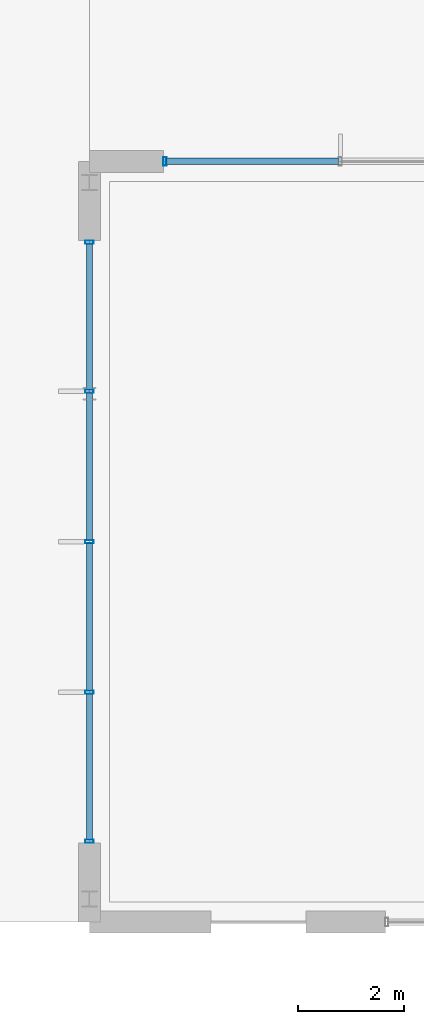
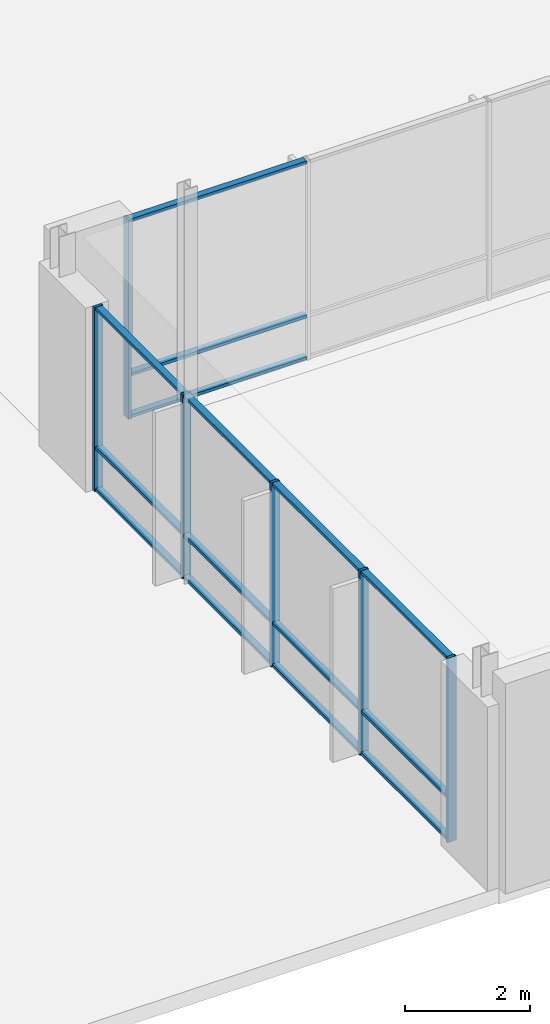
# One storey, part 66 of 233: 21 members, 2 elements without a shape of their own.
"""IFC4 building model written with IfcOpenShell, lengths in metres."""

from ifc_helpers import new_model, si_unit, direction, frame, origin, origin_2d, place, context, subcontext, project, spatial, hollow_rectangle, extrude, material, material_profile, profile_set, type_object, element, aggregate, save


model = new_model("IFC4")

# Units and contexts
model_context = context("Model", 3, precision=1e-05, world=origin(), true_north=direction((0.0, 1.0)))
body_context = subcontext(model_context, "Body", "Model", "MODEL_VIEW")
ifc_project = project(units=[si_unit("LENGTHUNIT", "METRE"), si_unit("AREAUNIT", "SQUARE_METRE"), si_unit("VOLUMEUNIT", "CUBIC_METRE"), si_unit("PLANEANGLEUNIT", "RADIAN"), si_unit("MASSUNIT", "GRAM", prefix="KILO")], contexts=[model_context])

# Site, building, storey
site_placement = place(None, origin())
site = spatial("IfcSite", under=ifc_project, at=site_placement, CompositionType="ELEMENT")
building_placement = place(site_placement, origin())
building = spatial("IfcBuilding", under=site, at=building_placement, Name="Zavelmont Quarter", CompositionType="ELEMENT")
storey_placement = place(building_placement, origin())
storey = spatial("IfcBuildingStorey", under=building, at=storey_placement, Name="L00", CompositionType="ELEMENT", Elevation=0.0)

# Curtain wall, member
ifc_material_1 = material(Name="Thermally broken aluminium and double low-E safety glazing", Category="aluminium")
curtain_wall_type_1 = type_object("IfcCurtainWallType", Name="CW-1340X390", PredefinedType="NOTDEFINED", material=ifc_material_1)
curtain_wall_1_placement = place(storey_placement, origin())
curtain_wall_1 = element("IfcCurtainWall", 1, at=curtain_wall_1_placement, inside=storey, type_object=curtain_wall_type_1, Name="L00 unitised curtain wall CW-1340X390", PredefinedType="NOTDEFINED")
ifc_material_2 = material(Name="Powder-coated aluminium EN AW-6063-T6", Category="aluminium")
ifc_material_profile_1 = material_profile(ifc_material_2, hollow_rectangle(XDim=0.06005859375, YDim=0.159912109375, WallThickness=0.00390625, at=origin_2d()), Name="CWM60X160")
ifc_profile_set_1 = profile_set([ifc_material_profile_1], Name="Powder-coated aluminium EN AW-6063-T6")
member_type_1 = type_object("IfcMemberType", Name="CWM01", PredefinedType="MULLION", material=ifc_profile_set_1)
member_1_placement = place(storey_placement, frame((93.429931640625, 14.39990234375, 0.0), z_axis=(0.0, 0.0, 1.0), x_axis=(1.0, 0.0, 0.0)))
member_1 = element("IfcMember", 2, at=member_1_placement, type_object=member_type_1, Name="CW-1340X390 mullion 1", PredefinedType="MULLION", context=body_context, shape_type="SweptSolid", body=[
    extrude(hollow_rectangle(XDim=0.06005859375, YDim=0.159912109375, WallThickness=0.00390625, at=origin_2d()), origin(), (0.0, 0.0, 1.0), 3.89990234375),
])

# Curtain wall, members
curtain_wall_type_2 = type_object("IfcCurtainWallType", Name="CW-1140X361", PredefinedType="NOTDEFINED", material=ifc_material_1)
curtain_wall_2_placement = place(storey_placement, origin())
curtain_wall_2 = element("IfcCurtainWall", 3, at=curtain_wall_2_placement, inside=storey, type_object=curtain_wall_type_2, Name="L00 unitised curtain wall CW-1140X361", PredefinedType="NOTDEFINED")
member_2_placement = place(storey_placement, frame((92.0, 1.530029296875, 0.0), z_axis=(0.0, 0.0, 1.0), x_axis=(0.0, 1.0, 0.0)))
member_2 = element("IfcMember", 4, at=member_2_placement, type_object=member_type_1, Name="CW-1140X361 mullion 1", PredefinedType="MULLION", context=body_context, shape_type="SweptSolid", body=[
    extrude(hollow_rectangle(XDim=0.06005859375, YDim=0.159912109375, WallThickness=0.00390625, at=origin_2d()), origin(), (0.0, 0.0, 1.0), 3.610107421875),
])
member_3_placement = place(storey_placement, frame((92.0, 4.35009765625, 0.0), z_axis=(0.0, 0.0, 1.0), x_axis=(0.0, 1.0, 0.0)))
member_3 = element("IfcMember", 5, at=member_3_placement, type_object=member_type_1, Name="CW-1140X361 mullion 2", PredefinedType="MULLION", context=body_context, shape_type="SweptSolid", body=[
    extrude(hollow_rectangle(XDim=0.06005859375, YDim=0.159912109375, WallThickness=0.00390625, at=origin_2d()), origin(), (0.0, 0.0, 1.0), 3.610107421875),
])
member_4_placement = place(storey_placement, frame((92.0, 7.199951171875, 0.0), z_axis=(0.0, 0.0, 1.0), x_axis=(0.0, 1.0, 0.0)))
member_4 = element("IfcMember", 6, at=member_4_placement, type_object=member_type_1, Name="CW-1140X361 mullion 3", PredefinedType="MULLION", context=body_context, shape_type="SweptSolid", body=[
    extrude(hollow_rectangle(XDim=0.06005859375, YDim=0.159912109375, WallThickness=0.00390625, at=origin_2d()), origin(), (0.0, 0.0, 1.0), 3.610107421875),
])
member_5_placement = place(storey_placement, frame((92.0, 10.050048828125, 0.0), z_axis=(0.0, 0.0, 1.0), x_axis=(0.0, 1.0, 0.0)))
member_5 = element("IfcMember", 7, at=member_5_placement, type_object=member_type_1, Name="CW-1140X361 mullion 4", PredefinedType="MULLION", context=body_context, shape_type="SweptSolid", body=[
    extrude(hollow_rectangle(XDim=0.06005859375, YDim=0.159912109375, WallThickness=0.00390625, at=origin_2d()), origin(), (0.0, 0.0, 1.0), 3.610107421875),
])
member_6_placement = place(storey_placement, frame((92.0, 12.8701171875, 0.0), z_axis=(0.0, 0.0, 1.0), x_axis=(0.0, 1.0, 0.0)))
member_6 = element("IfcMember", 8, at=member_6_placement, type_object=member_type_1, Name="CW-1140X361 mullion 5", PredefinedType="MULLION", context=body_context, shape_type="SweptSolid", body=[
    extrude(hollow_rectangle(XDim=0.06005859375, YDim=0.159912109375, WallThickness=0.00390625, at=origin_2d()), origin(), (0.0, 0.0, 1.0), 3.610107421875),
])

# Member
ifc_material_profile_2 = material_profile(ifc_material_2, hollow_rectangle(XDim=0.1201171875, YDim=0.06005859375, WallThickness=0.00390625, at=origin_2d()), Name="CWT60X120")
ifc_profile_set_2 = profile_set([ifc_material_profile_2], Name="Powder-coated aluminium EN AW-6063-T6")
member_type_2 = type_object("IfcMemberType", Name="CWT01", PredefinedType="NOTDEFINED", material=ifc_profile_set_2)
member_7_placement = place(storey_placement, frame((93.4599609375, 14.39990234375, 0.030029296875), z_axis=(1.0, 0.0, 0.0), x_axis=(0.0, 1.0, 0.0)))
member_7 = element("IfcMember", 9, at=member_7_placement, type_object=member_type_2, Name="CW-1340X390 transom 1.1", ObjectType="TRANSOM", PredefinedType="USERDEFINED", context=body_context, shape_type="SweptSolid", body=[
    extrude(hollow_rectangle(XDim=0.1201171875, YDim=0.06005859375, WallThickness=0.00390625, at=origin_2d()), origin(), (0.0, 0.0, 1.0), 3.260009765625),
])

member_8_placement = place(storey_placement, frame((93.4599609375, 14.39990234375, 0.85009765625), z_axis=(1.0, 0.0, 0.0), x_axis=(0.0, 1.0, 0.0)))
member_8 = element("IfcMember", 10, at=member_8_placement, type_object=member_type_2, Name="CW-1340X390 transom 1.2", ObjectType="TRANSOM", PredefinedType="USERDEFINED", context=body_context, shape_type="SweptSolid", body=[
    extrude(hollow_rectangle(XDim=0.1201171875, YDim=0.06005859375, WallThickness=0.00390625, at=origin_2d()), origin(), (0.0, 0.0, 1.0), 3.260009765625),
])

member_9_placement = place(storey_placement, frame((93.4599609375, 14.39990234375, 3.8701171875), z_axis=(1.0, 0.0, 0.0), x_axis=(0.0, 1.0, 0.0)))
member_9 = element("IfcMember", 11, at=member_9_placement, type_object=member_type_2, Name="CW-1340X390 transom 1.3", ObjectType="TRANSOM", PredefinedType="USERDEFINED", context=body_context, shape_type="SweptSolid", body=[
    extrude(hollow_rectangle(XDim=0.1201171875, YDim=0.06005859375, WallThickness=0.00390625, at=origin_2d()), origin(), (0.0, 0.0, 1.0), 3.260009765625),
])

aggregate(curtain_wall_1, [member_1, member_7, member_8, member_9])

member_10_placement = place(storey_placement, frame((92.0, 1.56005859375, 0.030029296875), z_axis=(0.0, 1.0, 0.0), x_axis=(-1.0, 0.0, 0.0)))
member_10 = element("IfcMember", 12, at=member_10_placement, type_object=member_type_2, Name="CW-1140X361 transom 1.1", ObjectType="TRANSOM", PredefinedType="USERDEFINED", context=body_context, shape_type="SweptSolid", body=[
    extrude(hollow_rectangle(XDim=0.1201171875, YDim=0.06005859375, WallThickness=0.00390625, at=origin_2d()), origin(), (0.0, 0.0, 1.0), 2.760009765625),
])

member_11_placement = place(storey_placement, frame((92.0, 1.56005859375, 0.85009765625), z_axis=(0.0, 1.0, 0.0), x_axis=(-1.0, 0.0, 0.0)))
member_11 = element("IfcMember", 13, at=member_11_placement, type_object=member_type_2, Name="CW-1140X361 transom 1.2", ObjectType="TRANSOM", PredefinedType="USERDEFINED", context=body_context, shape_type="SweptSolid", body=[
    extrude(hollow_rectangle(XDim=0.1201171875, YDim=0.06005859375, WallThickness=0.00390625, at=origin_2d()), origin(), (0.0, 0.0, 1.0), 2.760009765625),
])

member_12_placement = place(storey_placement, frame((92.0, 1.56005859375, 3.580078125), z_axis=(0.0, 1.0, 0.0), x_axis=(-1.0, 0.0, 0.0)))
member_12 = element("IfcMember", 14, at=member_12_placement, type_object=member_type_2, Name="CW-1140X361 transom 1.3", ObjectType="TRANSOM", PredefinedType="USERDEFINED", context=body_context, shape_type="SweptSolid", body=[
    extrude(hollow_rectangle(XDim=0.1201171875, YDim=0.06005859375, WallThickness=0.00390625, at=origin_2d()), origin(), (0.0, 0.0, 1.0), 2.760009765625),
])

member_13_placement = place(storey_placement, frame((92.0, 4.3798828125, 0.030029296875), z_axis=(0.0, 1.0, 0.0), x_axis=(-1.0, 0.0, 0.0)))
member_13 = element("IfcMember", 15, at=member_13_placement, type_object=member_type_2, Name="CW-1140X361 transom 2.1", ObjectType="TRANSOM", PredefinedType="USERDEFINED", context=body_context, shape_type="SweptSolid", body=[
    extrude(hollow_rectangle(XDim=0.1201171875, YDim=0.06005859375, WallThickness=0.00390625, at=origin_2d()), origin(), (0.0, 0.0, 1.0), 2.7900390625),
])

member_14_placement = place(storey_placement, frame((92.0, 4.3798828125, 0.85009765625), z_axis=(0.0, 1.0, 0.0), x_axis=(-1.0, 0.0, 0.0)))
member_14 = element("IfcMember", 16, at=member_14_placement, type_object=member_type_2, Name="CW-1140X361 transom 2.2", ObjectType="TRANSOM", PredefinedType="USERDEFINED", context=body_context, shape_type="SweptSolid", body=[
    extrude(hollow_rectangle(XDim=0.1201171875, YDim=0.06005859375, WallThickness=0.00390625, at=origin_2d()), origin(), (0.0, 0.0, 1.0), 2.7900390625),
])

member_15_placement = place(storey_placement, frame((92.0, 4.3798828125, 3.580078125), z_axis=(0.0, 1.0, 0.0), x_axis=(-1.0, 0.0, 0.0)))
member_15 = element("IfcMember", 17, at=member_15_placement, type_object=member_type_2, Name="CW-1140X361 transom 2.3", ObjectType="TRANSOM", PredefinedType="USERDEFINED", context=body_context, shape_type="SweptSolid", body=[
    extrude(hollow_rectangle(XDim=0.1201171875, YDim=0.06005859375, WallThickness=0.00390625, at=origin_2d()), origin(), (0.0, 0.0, 1.0), 2.7900390625),
])

member_16_placement = place(storey_placement, frame((92.0, 7.22998046875, 0.030029296875), z_axis=(0.0, 1.0, 0.0), x_axis=(-1.0, 0.0, 0.0)))
member_16 = element("IfcMember", 18, at=member_16_placement, type_object=member_type_2, Name="CW-1140X361 transom 3.1", ObjectType="TRANSOM", PredefinedType="USERDEFINED", context=body_context, shape_type="SweptSolid", body=[
    extrude(hollow_rectangle(XDim=0.1201171875, YDim=0.06005859375, WallThickness=0.00390625, at=origin_2d()), origin(), (0.0, 0.0, 1.0), 2.7900390625),
])

member_17_placement = place(storey_placement, frame((92.0, 7.22998046875, 0.85009765625), z_axis=(0.0, 1.0, 0.0), x_axis=(-1.0, 0.0, 0.0)))
member_17 = element("IfcMember", 19, at=member_17_placement, type_object=member_type_2, Name="CW-1140X361 transom 3.2", ObjectType="TRANSOM", PredefinedType="USERDEFINED", context=body_context, shape_type="SweptSolid", body=[
    extrude(hollow_rectangle(XDim=0.1201171875, YDim=0.06005859375, WallThickness=0.00390625, at=origin_2d()), origin(), (0.0, 0.0, 1.0), 2.7900390625),
])

member_18_placement = place(storey_placement, frame((92.0, 7.22998046875, 3.580078125), z_axis=(0.0, 1.0, 0.0), x_axis=(-1.0, 0.0, 0.0)))
member_18 = element("IfcMember", 20, at=member_18_placement, type_object=member_type_2, Name="CW-1140X361 transom 3.3", ObjectType="TRANSOM", PredefinedType="USERDEFINED", context=body_context, shape_type="SweptSolid", body=[
    extrude(hollow_rectangle(XDim=0.1201171875, YDim=0.06005859375, WallThickness=0.00390625, at=origin_2d()), origin(), (0.0, 0.0, 1.0), 2.7900390625),
])

member_19_placement = place(storey_placement, frame((92.0, 10.080078125, 0.030029296875), z_axis=(0.0, 1.0, 0.0), x_axis=(-1.0, 0.0, 0.0)))
member_19 = element("IfcMember", 21, at=member_19_placement, type_object=member_type_2, Name="CW-1140X361 transom 4.1", ObjectType="TRANSOM", PredefinedType="USERDEFINED", context=body_context, shape_type="SweptSolid", body=[
    extrude(hollow_rectangle(XDim=0.1201171875, YDim=0.06005859375, WallThickness=0.00390625, at=origin_2d()), origin(), (0.0, 0.0, 1.0), 2.760009765625),
])

member_20_placement = place(storey_placement, frame((92.0, 10.080078125, 0.85009765625), z_axis=(0.0, 1.0, 0.0), x_axis=(-1.0, 0.0, 0.0)))
member_20 = element("IfcMember", 22, at=member_20_placement, type_object=member_type_2, Name="CW-1140X361 transom 4.2", ObjectType="TRANSOM", PredefinedType="USERDEFINED", context=body_context, shape_type="SweptSolid", body=[
    extrude(hollow_rectangle(XDim=0.1201171875, YDim=0.06005859375, WallThickness=0.00390625, at=origin_2d()), origin(), (0.0, 0.0, 1.0), 2.760009765625),
])

member_21_placement = place(storey_placement, frame((92.0, 10.080078125, 3.580078125), z_axis=(0.0, 1.0, 0.0), x_axis=(-1.0, 0.0, 0.0)))
member_21 = element("IfcMember", 23, at=member_21_placement, type_object=member_type_2, Name="CW-1140X361 transom 4.3", ObjectType="TRANSOM", PredefinedType="USERDEFINED", context=body_context, shape_type="SweptSolid", body=[
    extrude(hollow_rectangle(XDim=0.1201171875, YDim=0.06005859375, WallThickness=0.00390625, at=origin_2d()), origin(), (0.0, 0.0, 1.0), 2.760009765625),
])

aggregate(curtain_wall_2, [member_2, member_3, member_4, member_5, member_6, member_10, member_11, member_12, member_13, member_14, member_15, member_16, member_17, member_18, member_19, member_20, member_21])

save(model, "model.ifc")
